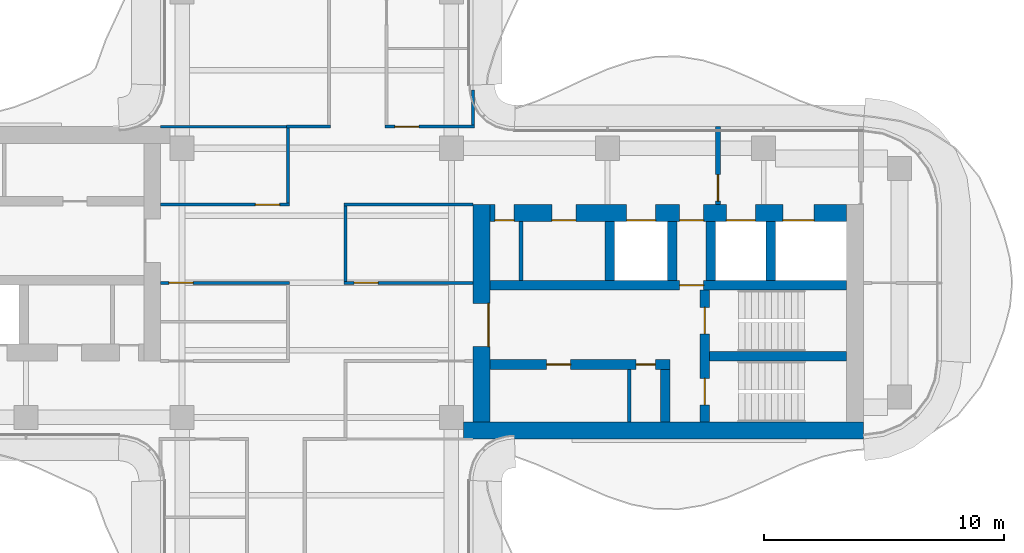
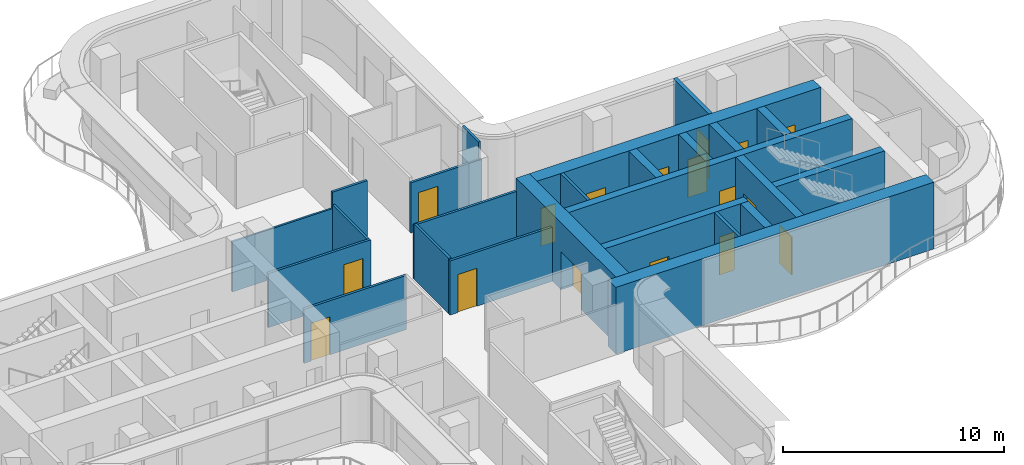
# One storey, part 12 of 15: 25 walls, 17 doors, 17 openings.
"""IFC4 building model written with IfcOpenShell, lengths in metres."""

from ifc_helpers import new_model, si_unit, direction, frame, frame_2d, origin, place, context, subcontext, project, spatial, rectangle, extrude, source, transform, mapped, material, layer, layer_set, type_object, element, fill, save


model = new_model("IFC4")

# Units and contexts
model_context = context("Model", 3, precision=1e-05, world=origin(), true_north=direction((0.0, 1.0)))
body_context = subcontext(model_context, "Body", "Model", "MODEL_VIEW")
ifc_project = project(units=[si_unit("LENGTHUNIT", "METRE"), si_unit("AREAUNIT", "SQUARE_METRE"), si_unit("VOLUMEUNIT", "CUBIC_METRE"), si_unit("PLANEANGLEUNIT", "RADIAN"), si_unit("MASSUNIT", "GRAM", prefix="KILO")], contexts=[model_context])

# Site, building, storey
site_placement = place(None, origin())
site = spatial("IfcSite", under=ifc_project, at=site_placement, CompositionType="ELEMENT")
building_placement = place(site_placement, origin())
building = spatial("IfcBuilding", under=site, at=building_placement, Name="Trellis Farm Tower", CompositionType="ELEMENT")
storey_placement = place(building_placement, frame((0.0, 0.0, 287.199951171875)))
storey = spatial("IfcBuildingStorey", under=building, at=storey_placement, Name="L64", CompositionType="ELEMENT", Elevation=287.199951171875)

# Wall, opening, door
ifc_material_1 = material(Name="Concrete C50/60", Category="concrete")
ifc_layer_1 = layer(ifc_material_1, 0.699951171875)
ifc_layer_set_1 = layer_set([ifc_layer_1], Name="CORE OUTER WALL 700 CONCRETE C50/60")
wall_type_1 = type_object("IfcWallType", Name="CORE OUTER WALL 700 CONCRETE C50/60", PredefinedType="SHEAR", material=ifc_layer_set_1)
shared_shape_1 = source(origin(), body_context, "Body", "SweptSolid", [
    extrude(rectangle(XDim=9.050048828125, YDim=0.699951171875, at=frame_2d((4.52490234375, 0.0))), origin(), (0.0, 0.0, 1.0), 3.699951171875),
])
wall_1_placement = place(storey_placement, frame((6.85009765625, -5.800048828125, 0.0), z_axis=(0.0, 0.0, 1.0), x_axis=(0.0, 1.0, 0.0)))
wall_1 = element("IfcWall", 1, at=wall_1_placement, inside=storey, type_object=wall_type_1, Name="Core wall", PredefinedType="SHEAR", context=body_context, shape_type="MappedRepresentation", body=[
    mapped(shared_shape_1, transform((0.0, 0.0, 0.0))),
])
shared_shape_2 = source(origin(), body_context, "Body", "SweptSolid", [
    extrude(rectangle(XDim=1.800048828125, YDim=2.10009765625, at=frame_2d((0.89990234375, 1.050048828125))), frame((0.0, 0.360107421875, 0.0), z_axis=(0.0, -1.0, 0.0), x_axis=(1.0, 0.0, 0.0)), (0.0, 0.0, 1.0), 0.72021484375),
])
opening_1_placement = place(wall_1_placement, frame((3.14990234375, 0.0, 0.0)))
opening_1 = element("IfcOpeningElement", 2, at=opening_1_placement, cuts=wall_1, Name="Opening DC1", PredefinedType="OPENING", context=body_context, shape_type="MappedRepresentation", body=[
    mapped(shared_shape_2, transform((0.0, 0.0, 0.0))),
])
ifc_material_2 = material(Name="Steel", Category="steel")
door_type_1 = type_object("IfcDoorType", Name="CORE FIRE DOOR DOUBLE 1800 X 2100", OperationType="DOUBLE_DOOR_SINGLE_SWING", PredefinedType="DOOR", material=ifc_material_2)
shared_shape_3 = source(origin(), body_context, "Body", "SweptSolid", [
    extrude(rectangle(XDim=1.800048828125, YDim=2.10009765625, at=frame_2d((0.89990234375, 1.050048828125))), frame((0.0, -0.27490234375, 0.0), z_axis=(0.0, -1.0, 0.0), x_axis=(1.0, 0.0, 0.0)), (0.0, 0.0, 1.0), 0.050048828125),
])
door_1_placement = place(opening_1_placement, origin())
door_1 = element("IfcDoor", 3, at=door_1_placement, inside=storey, type_object=door_type_1, Name="Core door", OperationType="DOUBLE_DOOR_SINGLE_SWING", OverallHeight=2.10009765625, OverallWidth=1.800048828125, PredefinedType="DOOR", context=body_context, shape_type="MappedRepresentation", body=[
    mapped(shared_shape_3, transform((0.0, 0.0, 0.0))),
])
fill(opening_1, door_1)

# Walls
ifc_layer_2 = layer(ifc_material_1, 0.39990234375)
ifc_layer_set_2 = layer_set([ifc_layer_2], Name="CORE INNER WALL 400 CONCRETE C50/60")
wall_type_2 = type_object("IfcWallType", Name="CORE INNER WALL 400 CONCRETE C50/60", PredefinedType="SHEAR", material=ifc_layer_set_2)
shared_shape_4 = source(origin(), body_context, "Body", "SweptSolid", [
    extrude(rectangle(XDim=2.449951171875, YDim=0.39990234375, at=frame_2d((1.22509765625, 0.0))), origin(), (0.0, 0.0, 1.0), 3.699951171875),
])
for number, where, z_axis, x_axis, name in (
    (4, (12.199951171875, 0.10009765625, 0.0), (0.0, 0.0, 1.0), (0.0, 1.0, 0.0), "Core wall"),
    (5, (14.800048828125, 0.10009765625, 0.0), (0.0, 0.0, 1.0), (0.0, 1.0, 0.0), "Core wall"),
    (6, (16.39990234375, 0.10009765625, 0.0), (0.0, 0.0, 1.0), (0.0, 1.0, 0.0), "Core wall"),
    (7, (18.89990234375, 0.10009765625, 0.0), (0.0, 0.0, 1.0), (0.0, 1.0, 0.0), "Core wall"),
):
    element("IfcWall", number, at=place(storey_placement, frame(where, z_axis=z_axis, x_axis=x_axis)), inside=storey, type_object=wall_type_2, Name=name, PredefinedType="SHEAR", context=body_context, shape_type="MappedRepresentation", body=[
        mapped(shared_shape_4, transform((0.0, 0.0, 0.0))),
    ])

# Wall, opening, door
ifc_material_3 = material(Name="Masonry blockwork", Category="masonry")
ifc_layer_3 = layer(ifc_material_3, 0.199951171875)
ifc_layer_set_3 = layer_set([ifc_layer_3], Name="FIRE LOBBY PARTITION 200 BLOCKWORK")
wall_type_3 = type_object("IfcWallType", Name="FIRE LOBBY PARTITION 200 BLOCKWORK", PredefinedType="PARTITIONING", material=ifc_layer_set_3)
shared_shape_5 = source(origin(), body_context, "Body", "SweptSolid", [
    extrude(rectangle(XDim=3.25, YDim=0.199951171875, at=frame_2d((1.625, 0.0))), origin(), (0.0, 0.0, 1.0), 3.699951171875),
])
wall_2_placement = place(storey_placement, frame((16.699951171875, 3.25, 0.0), z_axis=(0.0, 0.0, 1.0), x_axis=(0.0, 1.0, 0.0)))
wall_2 = element("IfcWall", 8, at=wall_2_placement, inside=storey, type_object=wall_type_3, Name="Fire-fighting lobby partition", PredefinedType="PARTITIONING", context=body_context, shape_type="MappedRepresentation", body=[
    mapped(shared_shape_5, transform((0.0, 0.0, 0.0))),
])
shared_shape_6 = source(origin(), body_context, "Body", "SweptSolid", [
    extrude(rectangle(XDim=1.10009765625, YDim=2.10009765625, at=frame_2d((0.550048828125, 1.050048828125))), frame((0.0, 0.110107421875, 0.0), z_axis=(0.0, -1.0, 0.0), x_axis=(1.0, 0.0, 0.0)), (0.0, 0.0, 1.0), 0.22021484375),
])
opening_2_placement = place(wall_2_placement, frame((0.14990234375, 0.0, 0.0)))
opening_2 = element("IfcOpeningElement", 9, at=opening_2_placement, cuts=wall_2, Name="Opening DC7", PredefinedType="OPENING", context=body_context, shape_type="MappedRepresentation", body=[
    mapped(shared_shape_6, transform((0.0, 0.0, 0.0))),
])
door_type_2 = type_object("IfcDoorType", Name="CORE FIRE DOOR 1100 X 2100", OperationType="NOTDEFINED", PredefinedType="DOOR", material=ifc_material_2)
shared_shape_7 = source(origin(), body_context, "Body", "SweptSolid", [
    extrude(rectangle(XDim=1.10009765625, YDim=2.10009765625, at=frame_2d((0.550048828125, 1.050048828125))), frame((0.0, 0.02490234375, 0.0), z_axis=(0.0, -1.0, 0.0), x_axis=(1.0, 0.0, 0.0)), (0.0, 0.0, 1.0), 0.050048828125),
])
door_2_placement = place(opening_2_placement, origin())
door_2 = element("IfcDoor", 10, at=door_2_placement, inside=storey, type_object=door_type_2, Name="Core door", OperationType="SINGLE_SWING_RIGHT", OverallHeight=2.10009765625, OverallWidth=1.10009765625, PredefinedType="DOOR", context=body_context, shape_type="MappedRepresentation", body=[
    mapped(shared_shape_7, transform((0.0, 0.0, 0.0))),
])
fill(opening_2, door_2)

# Wall, openings, doors
shared_shape_8 = source(origin(), body_context, "Body", "SweptSolid", [
    extrude(rectangle(XDim=14.85009765625, YDim=0.699951171875, at=frame_2d((7.425048828125, 0.0))), origin(), (0.0, 0.0, 1.0), 3.699951171875),
])
wall_3_placement = place(storey_placement, frame((7.199951171875, 2.89990234375, 0.0), z_axis=(0.0, 0.0, 1.0), x_axis=(1.0, 0.0, 0.0)))
wall_3 = element("IfcWall", 11, at=wall_3_placement, inside=storey, type_object=wall_type_1, Name="Core wall", PredefinedType="SHEAR", context=body_context, shape_type="MappedRepresentation", body=[
    mapped(shared_shape_8, transform((0.0, 0.0, 0.0))),
])
shared_shape_9 = source(origin(), body_context, "Body", "SweptSolid", [
    extrude(rectangle(XDim=1.199951171875, YDim=2.10009765625, at=frame_2d((0.60009765625, 1.050048828125))), frame((0.0, 0.360107421875, 0.0), z_axis=(0.0, -1.0, 0.0), x_axis=(1.0, 0.0, 0.0)), (0.0, 0.0, 1.0), 0.72021484375),
])
opening_3_placement = place(wall_3_placement, frame((5.699951171875, 0.0, 0.0)))
opening_3 = element("IfcOpeningElement", 12, at=opening_3_placement, cuts=wall_3, Name="Opening LD6", PredefinedType="OPENING", context=body_context, shape_type="MappedRepresentation", body=[
    mapped(shared_shape_9, transform((0.0, 0.0, 0.0))),
])
shared_shape_10 = source(origin(), body_context, "Body", "SweptSolid", [
    extrude(rectangle(XDim=1.300048828125, YDim=2.10009765625, at=frame_2d((0.64990234375, 1.050048828125))), frame((0.0, 0.360107421875, 0.0), z_axis=(0.0, -1.0, 0.0), x_axis=(1.0, 0.0, 0.0)), (0.0, 0.0, 1.0), 0.72021484375),
])
opening_4_placement = place(wall_3_placement, frame((12.199951171875, 0.0, 0.0)))
opening_4 = element("IfcOpeningElement", 13, at=opening_4_placement, cuts=wall_3, Name="Opening LD7", PredefinedType="OPENING", context=body_context, shape_type="MappedRepresentation", body=[
    mapped(shared_shape_10, transform((0.0, 0.0, 0.0))),
])
opening_5_placement = place(wall_3_placement, frame((9.85009765625, 0.0, 0.0)))
opening_5 = element("IfcOpeningElement", 14, at=opening_5_placement, cuts=wall_3, Name="Opening LD8", PredefinedType="OPENING", context=body_context, shape_type="MappedRepresentation", body=[
    mapped(shared_shape_9, transform((0.0, 0.0, 0.0))),
])
shared_shape_11 = source(origin(), body_context, "Body", "SweptSolid", [
    extrude(rectangle(XDim=1.0, YDim=2.10009765625, at=frame_2d((0.5, 1.050048828125))), frame((0.0, 0.360107421875, 0.0), z_axis=(0.0, -1.0, 0.0), x_axis=(1.0, 0.0, 0.0)), (0.0, 0.0, 1.0), 0.72021484375),
])
opening_6_placement = place(wall_3_placement, frame((7.89990234375, 0.0, 0.0)))
opening_6 = element("IfcOpeningElement", 15, at=opening_6_placement, cuts=wall_3, Name="Opening DC6", PredefinedType="OPENING", context=body_context, shape_type="MappedRepresentation", body=[
    mapped(shared_shape_11, transform((0.0, 0.0, 0.0))),
])
shared_shape_12 = source(origin(), body_context, "Body", "SweptSolid", [
    extrude(rectangle(XDim=0.800048828125, YDim=2.10009765625, at=frame_2d((0.39990234375, 1.050048828125))), frame((0.0, 0.360107421875, 0.0), z_axis=(0.0, -1.0, 0.0), x_axis=(1.0, 0.0, 0.0)), (0.0, 0.0, 1.0), 0.72021484375),
])
opening_7_placement = place(wall_3_placement, frame((0.21240234375, 0.0, 0.0)))
opening_7 = element("IfcOpeningElement", 16, at=opening_7_placement, cuts=wall_3, Name="Opening DC9", PredefinedType="OPENING", context=body_context, shape_type="MappedRepresentation", body=[
    mapped(shared_shape_12, transform((0.0, 0.0, 0.0))),
])
opening_8_placement = place(wall_3_placement, frame((2.58740234375, 0.0, 0.0)))
opening_8 = element("IfcOpeningElement", 17, at=opening_8_placement, cuts=wall_3, Name="Opening DC20", PredefinedType="OPENING", context=body_context, shape_type="MappedRepresentation", body=[
    mapped(shared_shape_11, transform((0.0, 0.0, 0.0))),
])
door_type_3 = type_object("IfcDoorType", Name="CORE FIRE DOOR 1000 X 2100", OperationType="NOTDEFINED", PredefinedType="DOOR", material=ifc_material_2)
shared_shape_13 = source(origin(), body_context, "Body", "SweptSolid", [
    extrude(rectangle(XDim=1.0, YDim=2.10009765625, at=frame_2d((0.5, 1.050048828125))), frame((0.0, -0.27490234375, 0.0), z_axis=(0.0, -1.0, 0.0), x_axis=(1.0, 0.0, 0.0)), (0.0, 0.0, 1.0), 0.050048828125),
])
door_3_placement = place(opening_6_placement, origin())
door_3 = element("IfcDoor", 18, at=door_3_placement, inside=storey, type_object=door_type_3, Name="Core door", OperationType="SINGLE_SWING_LEFT", OverallHeight=2.10009765625, OverallWidth=1.0, PredefinedType="DOOR", context=body_context, shape_type="MappedRepresentation", body=[
    mapped(shared_shape_13, transform((0.0, 0.0, 0.0))),
])
fill(opening_6, door_3)
door_4_placement = place(opening_8_placement, origin())
door_4 = element("IfcDoor", 19, at=door_4_placement, inside=storey, type_object=door_type_3, Name="Core door", OperationType="SINGLE_SWING_RIGHT", OverallHeight=2.10009765625, OverallWidth=1.0, PredefinedType="DOOR", context=body_context, shape_type="MappedRepresentation", body=[
    mapped(shared_shape_13, transform((0.0, 0.0, 0.0))),
])
fill(opening_8, door_4)
ifc_material_4 = material(Name="Stainless steel", Category="steel")
door_type_4 = type_object("IfcDoorType", Name="LIFT LANDING DOOR 1300 X 2100", OperationType="DOUBLE_DOOR_SLIDING", PredefinedType="DOOR", material=ifc_material_4)
shared_shape_14 = source(origin(), body_context, "Body", "SweptSolid", [
    extrude(rectangle(XDim=1.300048828125, YDim=2.10009765625, at=frame_2d((0.64990234375, 1.050048828125))), frame((0.0, -0.27490234375, 0.0), z_axis=(0.0, -1.0, 0.0), x_axis=(1.0, 0.0, 0.0)), (0.0, 0.0, 1.0), 0.050048828125),
])
door_5_placement = place(opening_4_placement, origin())
door_5 = element("IfcDoor", 20, at=door_5_placement, inside=storey, type_object=door_type_4, Name="Lift landing door", OperationType="DOUBLE_DOOR_SLIDING", OverallHeight=2.10009765625, OverallWidth=1.300048828125, PredefinedType="DOOR", context=body_context, shape_type="MappedRepresentation", body=[
    mapped(shared_shape_14, transform((0.0, 0.0, 0.0))),
])
fill(opening_4, door_5)
door_type_5 = type_object("IfcDoorType", Name="LIFT LANDING DOOR 1200 X 2100", OperationType="DOUBLE_DOOR_SLIDING", PredefinedType="DOOR", material=ifc_material_4)
shared_shape_15 = source(origin(), body_context, "Body", "SweptSolid", [
    extrude(rectangle(XDim=1.199951171875, YDim=2.10009765625, at=frame_2d((0.60009765625, 1.050048828125))), frame((0.0, -0.27490234375, 0.0), z_axis=(0.0, -1.0, 0.0), x_axis=(1.0, 0.0, 0.0)), (0.0, 0.0, 1.0), 0.050048828125),
])
door_6_placement = place(opening_3_placement, origin())
door_6 = element("IfcDoor", 21, at=door_6_placement, inside=storey, type_object=door_type_5, Name="Lift landing door", OperationType="DOUBLE_DOOR_SLIDING", OverallHeight=2.10009765625, OverallWidth=1.199951171875, PredefinedType="DOOR", context=body_context, shape_type="MappedRepresentation", body=[
    mapped(shared_shape_15, transform((0.0, 0.0, 0.0))),
])
fill(opening_3, door_6)
door_7_placement = place(opening_5_placement, origin())
door_7 = element("IfcDoor", 22, at=door_7_placement, inside=storey, type_object=door_type_5, Name="Lift landing door", OperationType="DOUBLE_DOOR_SLIDING", OverallHeight=2.10009765625, OverallWidth=1.199951171875, PredefinedType="DOOR", context=body_context, shape_type="MappedRepresentation", body=[
    mapped(shared_shape_15, transform((0.0, 0.0, 0.0))),
])
fill(opening_5, door_7)
door_type_6 = type_object("IfcDoorType", Name="CORE FIRE DOOR 800 X 2100", OperationType="NOTDEFINED", PredefinedType="DOOR", material=ifc_material_2)
shared_shape_16 = source(origin(), body_context, "Body", "SweptSolid", [
    extrude(rectangle(XDim=0.800048828125, YDim=2.10009765625, at=frame_2d((0.39990234375, 1.050048828125))), frame((0.0, -0.27490234375, 0.0), z_axis=(0.0, -1.0, 0.0), x_axis=(1.0, 0.0, 0.0)), (0.0, 0.0, 1.0), 0.050048828125),
])
door_8_placement = place(opening_7_placement, origin())
door_8 = element("IfcDoor", 23, at=door_8_placement, inside=storey, type_object=door_type_6, Name="Core door", OperationType="SINGLE_SWING_LEFT", OverallHeight=2.10009765625, OverallWidth=0.800048828125, PredefinedType="DOOR", context=body_context, shape_type="MappedRepresentation", body=[
    mapped(shared_shape_16, transform((0.0, 0.0, 0.0))),
])
fill(opening_7, door_8)

shared_shape_17 = source(origin(), body_context, "Body", "SweptSolid", [
    extrude(rectangle(XDim=7.5, YDim=0.39990234375, at=frame_2d((3.75, 0.0))), origin(), (0.0, 0.0, 1.0), 3.699951171875),
])
wall_4_placement = place(storey_placement, frame((7.199951171875, -3.39990234375, 0.0), z_axis=(0.0, 0.0, 1.0), x_axis=(1.0, 0.0, 0.0)))
wall_4 = element("IfcWall", 24, at=wall_4_placement, inside=storey, type_object=wall_type_2, Name="Core wall", PredefinedType="SHEAR", context=body_context, shape_type="MappedRepresentation", body=[
    mapped(shared_shape_17, transform((0.0, 0.0, 0.0))),
])
shared_shape_18 = source(origin(), body_context, "Body", "SweptSolid", [
    extrude(rectangle(XDim=1.0, YDim=2.10009765625, at=frame_2d((0.5, 1.050048828125))), frame((0.0, 0.2099609375, 0.0), z_axis=(0.0, -1.0, 0.0), x_axis=(1.0, 0.0, 0.0)), (0.0, 0.0, 1.0), 0.419921875),
])
opening_9_placement = place(wall_4_placement, frame((2.362548828125, 0.0, 0.0)))
opening_9 = element("IfcOpeningElement", 25, at=opening_9_placement, cuts=wall_4, Name="Opening DC55", PredefinedType="OPENING", context=body_context, shape_type="MappedRepresentation", body=[
    mapped(shared_shape_18, transform((0.0, 0.0, 0.0))),
])
shared_shape_19 = source(origin(), body_context, "Body", "SweptSolid", [
    extrude(rectangle(XDim=0.800048828125, YDim=2.10009765625, at=frame_2d((0.39990234375, 1.050048828125))), frame((0.0, 0.2099609375, 0.0), z_axis=(0.0, -1.0, 0.0), x_axis=(1.0, 0.0, 0.0)), (0.0, 0.0, 1.0), 0.419921875),
])
opening_10_placement = place(wall_4_placement, frame((6.08740234375, 0.0, 0.0)))
opening_10 = element("IfcOpeningElement", 26, at=opening_10_placement, cuts=wall_4, Name="Opening DC58", PredefinedType="OPENING", context=body_context, shape_type="MappedRepresentation", body=[
    mapped(shared_shape_19, transform((0.0, 0.0, 0.0))),
])
shared_shape_20 = source(origin(), body_context, "Body", "SweptSolid", [
    extrude(rectangle(XDim=1.0, YDim=2.10009765625, at=frame_2d((0.5, 1.050048828125))), frame((0.0, 0.02490234375, 0.0), z_axis=(0.0, -1.0, 0.0), x_axis=(1.0, 0.0, 0.0)), (0.0, 0.0, 1.0), 0.050048828125),
])
door_9_placement = place(opening_9_placement, origin())
door_9 = element("IfcDoor", 27, at=door_9_placement, inside=storey, type_object=door_type_3, Name="Core door", OperationType="SINGLE_SWING_LEFT", OverallHeight=2.10009765625, OverallWidth=1.0, PredefinedType="DOOR", context=body_context, shape_type="MappedRepresentation", body=[
    mapped(shared_shape_20, transform((0.0, 0.0, 0.0))),
])
fill(opening_9, door_9)
shared_shape_21 = source(origin(), body_context, "Body", "SweptSolid", [
    extrude(rectangle(XDim=0.800048828125, YDim=2.10009765625, at=frame_2d((0.39990234375, 1.050048828125))), frame((0.0, 0.02490234375, 0.0), z_axis=(0.0, -1.0, 0.0), x_axis=(1.0, 0.0, 0.0)), (0.0, 0.0, 1.0), 0.050048828125),
])
door_10_placement = place(opening_10_placement, origin())
door_10 = element("IfcDoor", 28, at=door_10_placement, inside=storey, type_object=door_type_6, Name="Core door", OperationType="SINGLE_SWING_RIGHT", OverallHeight=2.10009765625, OverallWidth=0.800048828125, PredefinedType="DOOR", context=body_context, shape_type="MappedRepresentation", body=[
    mapped(shared_shape_21, transform((0.0, 0.0, 0.0))),
])
fill(opening_10, door_10)

# Wall, opening, door
shared_shape_22 = source(origin(), body_context, "Body", "SweptSolid", [
    extrude(rectangle(XDim=14.85009765625, YDim=0.39990234375, at=frame_2d((7.425048828125, 0.0))), origin(), (0.0, 0.0, 1.0), 3.699951171875),
])
wall_5_placement = place(storey_placement, frame((7.199951171875, -0.10009765625, 0.0), z_axis=(0.0, 0.0, 1.0), x_axis=(1.0, 0.0, 0.0)))
wall_5 = element("IfcWall", 29, at=wall_5_placement, inside=storey, type_object=wall_type_2, Name="Core wall", PredefinedType="SHEAR", context=body_context, shape_type="MappedRepresentation", body=[
    mapped(shared_shape_22, transform((0.0, 0.0, 0.0))),
])
opening_11_placement = place(wall_5_placement, frame((7.89990234375, 0.0, 0.0)))
opening_11 = element("IfcOpeningElement", 30, at=opening_11_placement, cuts=wall_5, Name="Opening DC5", PredefinedType="OPENING", context=body_context, shape_type="MappedRepresentation", body=[
    mapped(shared_shape_18, transform((0.0, 0.0, 0.0))),
])
door_11_placement = place(opening_11_placement, origin())
door_11 = element("IfcDoor", 31, at=door_11_placement, inside=storey, type_object=door_type_3, Name="Core door", OperationType="SINGLE_SWING_RIGHT", OverallHeight=2.10009765625, OverallWidth=1.0, PredefinedType="DOOR", context=body_context, shape_type="MappedRepresentation", body=[
    mapped(shared_shape_20, transform((0.0, 0.0, 0.0))),
])
fill(opening_11, door_11)

# Wall, openings, doors
shared_shape_23 = source(origin(), body_context, "Body", "SweptSolid", [
    extrude(rectangle(XDim=5.5, YDim=0.39990234375, at=frame_2d((2.75, 0.0))), origin(), (0.0, 0.0, 1.0), 3.699951171875),
])
wall_6_placement = place(storey_placement, frame((16.14990234375, -5.800048828125, 0.0), z_axis=(0.0, 0.0, 1.0), x_axis=(0.0, 1.0, 0.0)))
wall_6 = element("IfcWall", 32, at=wall_6_placement, inside=storey, type_object=wall_type_2, Name="Core wall", PredefinedType="SHEAR", context=body_context, shape_type="MappedRepresentation", body=[
    mapped(shared_shape_23, transform((0.0, 0.0, 0.0))),
])
shared_shape_24 = source(origin(), body_context, "Body", "SweptSolid", [
    extrude(rectangle(XDim=1.10009765625, YDim=2.10009765625, at=frame_2d((0.550048828125, 1.050048828125))), frame((0.0, 0.2099609375, 0.0), z_axis=(0.0, -1.0, 0.0), x_axis=(1.0, 0.0, 0.0)), (0.0, 0.0, 1.0), 0.419921875),
])
opening_12_placement = place(wall_6_placement, frame((0.72509765625, 0.0, 0.0)))
opening_12 = element("IfcOpeningElement", 33, at=opening_12_placement, cuts=wall_6, Name="Opening DC2", PredefinedType="OPENING", context=body_context, shape_type="MappedRepresentation", body=[
    mapped(shared_shape_24, transform((0.0, 0.0, 0.0))),
])
opening_13_placement = place(wall_6_placement, frame((3.675048828125, 0.0, 0.0)))
opening_13 = element("IfcOpeningElement", 34, at=opening_13_placement, cuts=wall_6, Name="Opening DC3", PredefinedType="OPENING", context=body_context, shape_type="MappedRepresentation", body=[
    mapped(shared_shape_24, transform((0.0, 0.0, 0.0))),
])
door_12_placement = place(opening_12_placement, origin())
door_12 = element("IfcDoor", 35, at=door_12_placement, inside=storey, type_object=door_type_2, Name="Core door", OperationType="SINGLE_SWING_RIGHT", OverallHeight=2.10009765625, OverallWidth=1.10009765625, PredefinedType="DOOR", context=body_context, shape_type="MappedRepresentation", body=[
    mapped(shared_shape_7, transform((0.0, 0.0, 0.0))),
])
fill(opening_12, door_12)
door_13_placement = place(opening_13_placement, origin())
door_13 = element("IfcDoor", 36, at=door_13_placement, inside=storey, type_object=door_type_2, Name="Core door", OperationType="SINGLE_SWING_LEFT", OverallHeight=2.10009765625, OverallWidth=1.10009765625, PredefinedType="DOOR", context=body_context, shape_type="MappedRepresentation", body=[
    mapped(shared_shape_7, transform((0.0, 0.0, 0.0))),
])
fill(opening_13, door_13)

# Walls
shared_shape_25 = source(origin(), body_context, "Body", "SweptSolid", [
    extrude(rectangle(XDim=5.699951171875, YDim=0.39990234375, at=frame_2d((2.85009765625, 0.0))), origin(), (0.0, 0.0, 1.0), 3.699951171875),
])
wall_7_placement = place(storey_placement, frame((16.35009765625, -3.050048828125, 0.0), z_axis=(0.0, 0.0, 1.0), x_axis=(1.0, 0.0, 0.0)))
element("IfcWall", 37, at=wall_7_placement, inside=storey, type_object=wall_type_2, Name="Core wall", PredefinedType="SHEAR", context=body_context, shape_type="MappedRepresentation", body=[
    mapped(shared_shape_25, transform((0.0, 0.0, 0.0))),
])
shared_shape_26 = source(origin(), body_context, "Body", "SweptSolid", [
    extrude(rectangle(XDim=2.199951171875, YDim=0.39990234375, at=frame_2d((1.10009765625, 0.0))), origin(), (0.0, 0.0, 1.0), 3.699951171875),
])
wall_8_placement = place(storey_placement, frame((14.5, -5.800048828125, 0.0), z_axis=(0.0, 0.0, 1.0), x_axis=(0.0, 1.0, 0.0)))
element("IfcWall", 38, at=wall_8_placement, inside=storey, type_object=wall_type_2, Name="Core wall", PredefinedType="SHEAR", context=body_context, shape_type="MappedRepresentation", body=[
    mapped(shared_shape_26, transform((0.0, 0.0, 0.0))),
])
ifc_layer_4 = layer(ifc_material_3, 0.14990234375)
ifc_layer_set_4 = layer_set([ifc_layer_4], Name="CORE PARTITION 150 BLOCKWORK")
wall_type_4 = type_object("IfcWallType", Name="CORE PARTITION 150 BLOCKWORK", PredefinedType="PARTITIONING", material=ifc_layer_set_4)
shared_shape_27 = source(origin(), body_context, "Body", "SweptSolid", [
    extrude(rectangle(XDim=2.199951171875, YDim=0.14990234375, at=frame_2d((1.10009765625, 0.0))), origin(), (0.0, 0.0, 1.0), 3.699951171875),
])
wall_9_placement = place(storey_placement, frame((13.0, -5.800048828125, 0.0), z_axis=(0.0, 0.0, 1.0), x_axis=(0.0, 1.0, 0.0)))
element("IfcWall", 39, at=wall_9_placement, inside=storey, type_object=wall_type_4, Name="Core room partition", PredefinedType="PARTITIONING", context=body_context, shape_type="MappedRepresentation", body=[
    mapped(shared_shape_27, transform((0.0, 0.0, 0.0))),
])
shared_shape_28 = source(origin(), body_context, "Body", "SweptSolid", [
    extrude(rectangle(XDim=16.64990234375, YDim=0.699951171875, at=frame_2d((8.324951171875, 0.0))), origin(), (0.0, 0.0, 1.0), 3.699951171875),
])
wall_10_placement = place(storey_placement, frame((6.10009765625, -6.14990234375, 0.0), z_axis=(0.0, 0.0, 1.0), x_axis=(1.0, 0.0, 0.0)))
element("IfcWall", 40, at=wall_10_placement, inside=storey, type_object=wall_type_1, Name="Core wall", PredefinedType="SHEAR", context=body_context, shape_type="MappedRepresentation", body=[
    mapped(shared_shape_28, transform((0.0, 0.0, 0.0))),
])
shared_shape_29 = source(origin(), body_context, "Body", "SweptSolid", [
    extrude(rectangle(XDim=2.449951171875, YDim=0.14990234375, at=frame_2d((1.22509765625, 0.0))), origin(), (0.0, 0.0, 1.0), 3.699951171875),
])
wall_11_placement = place(storey_placement, frame((8.5, 0.10009765625, 0.0), z_axis=(0.0, 0.0, 1.0), x_axis=(0.0, 1.0, 0.0)))
element("IfcWall", 41, at=wall_11_placement, inside=storey, type_object=wall_type_4, Name="Core room partition", PredefinedType="PARTITIONING", context=body_context, shape_type="MappedRepresentation", body=[
    mapped(shared_shape_29, transform((0.0, 0.0, 0.0))),
])
ifc_material_5 = material(Name="Plasterboard on steel studs, mineral wool", Category="steel")
ifc_layer_5 = layer(ifc_material_5, 0.125)
ifc_layer_set_5 = layer_set([ifc_layer_5], Name="PARTITION 125 STUD EI 60")
wall_type_5 = type_object("IfcWallType", Name="PARTITION 125 STUD EI 60", PredefinedType="PARTITIONING", material=ifc_layer_set_5)
shared_shape_30 = source(origin(), body_context, "Body", "SweptSolid", [
    extrude(rectangle(XDim=3.137451171875, YDim=0.125, at=frame_2d((1.56884765625, 0.0))), origin(), (0.0, 0.0, 1.0), 2.99658203125),
])
wall_12_placement = place(storey_placement, frame((-1.199951171875, 6.449951171875, 0.0), z_axis=(0.0, 0.0, 1.0), x_axis=(0.0, -1.0, 0.0)))
element("IfcWall", 42, at=wall_12_placement, inside=storey, type_object=wall_type_5, Name="Partition PW1", PredefinedType="PARTITIONING", context=body_context, shape_type="MappedRepresentation", body=[
    mapped(shared_shape_30, transform((0.0, 0.0, 0.0))),
])
shared_shape_31 = source(origin(), body_context, "Body", "SweptSolid", [
    extrude(rectangle(XDim=3.125, YDim=0.125, at=frame_2d((1.5625, 0.0))), origin(), (0.0, 0.0, 1.0), 3.06787109375),
])
wall_13_placement = place(storey_placement, frame((1.199951171875, 3.1875, 0.0), z_axis=(0.0, 0.0, 1.0), x_axis=(0.0, -1.0, 0.0)))
element("IfcWall", 43, at=wall_13_placement, inside=storey, type_object=wall_type_5, Name="Partition PW1", PredefinedType="PARTITIONING", context=body_context, shape_type="MappedRepresentation", body=[
    mapped(shared_shape_31, transform((0.0, 0.0, 0.0))),
])
shared_shape_32 = source(origin(), body_context, "Body", "SweptSolid", [
    extrude(rectangle(XDim=1.468994140625, YDim=0.125, at=frame_2d((0.734375, 0.0))), origin(), (0.0, 0.0, 1.0), 3.699951171875),
])
wall_14_placement = place(storey_placement, frame((6.5, 6.5625, 0.0), z_axis=(0.0, 0.0, 1.0), x_axis=(0.0, 1.0, 0.0)))
element("IfcWall", 44, at=wall_14_placement, inside=storey, type_object=wall_type_5, Name="Partition PW1", PredefinedType="PARTITIONING", context=body_context, shape_type="MappedRepresentation", body=[
    mapped(shared_shape_32, transform((0.0, 0.0, 0.0))),
])

# Wall, opening, door
shared_shape_33 = source(origin(), body_context, "Body", "SweptSolid", [
    extrude(rectangle(XDim=5.362548828125, YDim=0.125, at=frame_2d((2.68115234375, 0.0))), origin(), (0.0, 0.0, 1.0), 2.99658203125),
])
wall_15_placement = place(storey_placement, frame((-1.137451171875, 0.0, 0.0), z_axis=(0.0, 0.0, 1.0), x_axis=(-1.0, 0.0, 0.0)))
wall_15 = element("IfcWall", 45, at=wall_15_placement, inside=storey, type_object=wall_type_5, Name="Partition PW1", PredefinedType="PARTITIONING", context=body_context, shape_type="MappedRepresentation", body=[
    mapped(shared_shape_33, transform((0.0, 0.0, 0.0))),
])
shared_shape_34 = source(origin(), body_context, "Body", "SweptSolid", [
    extrude(rectangle(XDim=1.0, YDim=2.10009765625, at=frame_2d((0.5, 1.050048828125))), frame((0.0, 0.072509765625, 0.0), z_axis=(0.0, -1.0, 0.0), x_axis=(1.0, 0.0, 0.0)), (0.0, 0.0, 1.0), 0.14501953125),
])
opening_14_placement = place(wall_15_placement, frame((4.012451171875, 0.0, 0.0)))
opening_14 = element("IfcOpeningElement", 46, at=opening_14_placement, cuts=wall_15, Name="Opening D105", PredefinedType="OPENING", context=body_context, shape_type="MappedRepresentation", body=[
    mapped(shared_shape_34, transform((0.0, 0.0, 0.0))),
])
ifc_material_6 = material(Name="Fire-rated timber door leaf in a hollow metal frame", Category="wood")
door_type_7 = type_object("IfcDoorType", Name="DOOR 1000x2100 FD30S", OperationType="NOTDEFINED", PredefinedType="DOOR", material=ifc_material_6)
door_14_placement = place(opening_14_placement, origin())
door_14 = element("IfcDoor", 47, at=door_14_placement, inside=storey, type_object=door_type_7, Name="Door D105", OperationType="SINGLE_SWING_RIGHT", OverallHeight=2.10009765625, OverallWidth=1.0, PredefinedType="DOOR", context=body_context, shape_type="MappedRepresentation", body=[
    mapped(shared_shape_20, transform((0.0, 0.0, 0.0))),
])
fill(opening_14, door_14)

wall_16_placement = place(storey_placement, frame((6.5, 0.0, 0.0), z_axis=(0.0, 0.0, 1.0), x_axis=(-1.0, 0.0, 0.0)))
wall_16 = element("IfcWall", 48, at=wall_16_placement, inside=storey, type_object=wall_type_5, Name="Partition PW1", PredefinedType="PARTITIONING", context=body_context, shape_type="MappedRepresentation", body=[
    mapped(shared_shape_33, transform((0.0, 0.0, 0.0))),
])
opening_15_placement = place(wall_16_placement, frame((3.949951171875, 0.0, 0.0)))
opening_15 = element("IfcOpeningElement", 49, at=opening_15_placement, cuts=wall_16, Name="Opening D106", PredefinedType="OPENING", context=body_context, shape_type="MappedRepresentation", body=[
    mapped(shared_shape_34, transform((0.0, 0.0, 0.0))),
])
door_15_placement = place(opening_15_placement, origin())
door_15 = element("IfcDoor", 50, at=door_15_placement, inside=storey, type_object=door_type_7, Name="Door D106", OperationType="SINGLE_SWING_RIGHT", OverallHeight=2.10009765625, OverallWidth=1.0, PredefinedType="DOOR", context=body_context, shape_type="MappedRepresentation", body=[
    mapped(shared_shape_20, transform((0.0, 0.0, 0.0))),
])
fill(opening_15, door_15)

wall_17_placement = place(storey_placement, frame((-6.5, 3.25, 0.0), z_axis=(0.0, 0.0, 1.0), x_axis=(1.0, 0.0, 0.0)))
wall_17 = element("IfcWall", 51, at=wall_17_placement, inside=storey, type_object=wall_type_5, Name="Partition PW1", PredefinedType="PARTITIONING", context=body_context, shape_type="MappedRepresentation", body=[
    mapped(shared_shape_33, transform((0.0, 0.0, 0.0))),
])
opening_16_placement = place(wall_17_placement, frame((3.949951171875, 0.0, 0.0)))
opening_16 = element("IfcOpeningElement", 52, at=opening_16_placement, cuts=wall_17, Name="Opening D108", PredefinedType="OPENING", context=body_context, shape_type="MappedRepresentation", body=[
    mapped(shared_shape_34, transform((0.0, 0.0, 0.0))),
])
door_16_placement = place(opening_16_placement, origin())
door_16 = element("IfcDoor", 53, at=door_16_placement, inside=storey, type_object=door_type_7, Name="Door D108", OperationType="SINGLE_SWING_RIGHT", OverallHeight=2.10009765625, OverallWidth=1.0, PredefinedType="DOOR", context=body_context, shape_type="MappedRepresentation", body=[
    mapped(shared_shape_20, transform((0.0, 0.0, 0.0))),
])
fill(opening_16, door_16)

# Walls
wall_18_placement = place(storey_placement, frame((1.137451171875, 3.25, 0.0), z_axis=(0.0, 0.0, 1.0), x_axis=(1.0, 0.0, 0.0)))
element("IfcWall", 54, at=wall_18_placement, inside=storey, type_object=wall_type_5, Name="Partition PW1", PredefinedType="PARTITIONING", context=body_context, shape_type="MappedRepresentation", body=[
    mapped(shared_shape_33, transform((0.0, 0.0, 0.0))),
])
ifc_material_7 = material(Name="Plasterboard on steel studs", Category="steel")
ifc_layer_6 = layer(ifc_material_7, 0.10009765625)
ifc_layer_set_6 = layer_set([ifc_layer_6], Name="PARTITION 100 STUD EI 30")
wall_type_6 = type_object("IfcWallType", Name="PARTITION 100 STUD EI 30", PredefinedType="PARTITIONING", material=ifc_layer_set_6)
shared_shape_35 = source(origin(), body_context, "Body", "SweptSolid", [
    extrude(rectangle(XDim=5.362548828125, YDim=0.10009765625, at=frame_2d((2.68115234375, 0.0))), origin(), (0.0, 0.0, 1.0), 2.780029296875),
])
wall_19_placement = place(storey_placement, frame((-6.5, 6.5, 0.0), z_axis=(0.0, 0.0, 1.0), x_axis=(1.0, 0.0, 0.0)))
element("IfcWall", 55, at=wall_19_placement, inside=storey, type_object=wall_type_6, Name="Partition PW2", PredefinedType="PARTITIONING", context=body_context, shape_type="MappedRepresentation", body=[
    mapped(shared_shape_35, transform((0.0, 0.0, 0.0))),
])
shared_shape_36 = source(origin(), body_context, "Body", "SweptSolid", [
    extrude(rectangle(XDim=1.824951171875, YDim=0.125, at=frame_2d((0.91259765625, 0.0))), origin(), (0.0, 0.0, 1.0), 3.699951171875),
])
wall_20_placement = place(storey_placement, frame((-1.262451171875, 6.5, 0.0), z_axis=(0.0, 0.0, 1.0), x_axis=(1.0, 0.0, 0.0)))
element("IfcWall", 56, at=wall_20_placement, inside=storey, type_object=wall_type_5, Name="Partition PW1", PredefinedType="PARTITIONING", context=body_context, shape_type="MappedRepresentation", body=[
    mapped(shared_shape_36, transform((0.0, 0.0, 0.0))),
])

# Wall, opening, door
shared_shape_37 = source(origin(), body_context, "Body", "SweptSolid", [
    extrude(rectangle(XDim=3.72509765625, YDim=0.125, at=frame_2d((1.862548828125, 0.0))), origin(), (0.0, 0.0, 1.0), 2.780029296875),
])
wall_21_placement = place(storey_placement, frame((2.83740234375, 6.5, 0.0), z_axis=(0.0, 0.0, 1.0), x_axis=(1.0, 0.0, 0.0)))
wall_21 = element("IfcWall", 57, at=wall_21_placement, inside=storey, type_object=wall_type_5, Name="Partition PW1", PredefinedType="PARTITIONING", context=body_context, shape_type="MappedRepresentation", body=[
    mapped(shared_shape_37, transform((0.0, 0.0, 0.0))),
])
opening_17_placement = place(wall_21_placement, frame((0.41259765625, 0.0, 0.0)))
opening_17 = element("IfcOpeningElement", 58, at=opening_17_placement, cuts=wall_21, Name="Opening D109", PredefinedType="OPENING", context=body_context, shape_type="MappedRepresentation", body=[
    mapped(shared_shape_34, transform((0.0, 0.0, 0.0))),
])
door_17_placement = place(opening_17_placement, origin())
door_17 = element("IfcDoor", 59, at=door_17_placement, inside=storey, type_object=door_type_7, Name="Door D109", OperationType="SINGLE_SWING_LEFT", OverallHeight=2.10009765625, OverallWidth=1.0, PredefinedType="DOOR", context=body_context, shape_type="MappedRepresentation", body=[
    mapped(shared_shape_20, transform((0.0, 0.0, 0.0))),
])
fill(opening_17, door_17)

save(model, "model.ifc")
